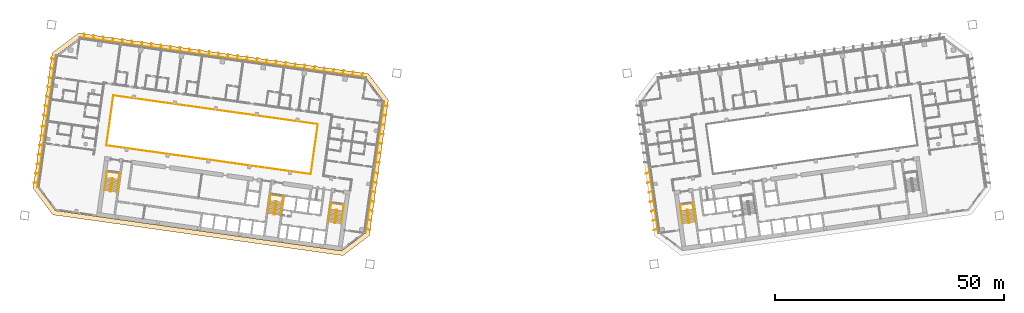
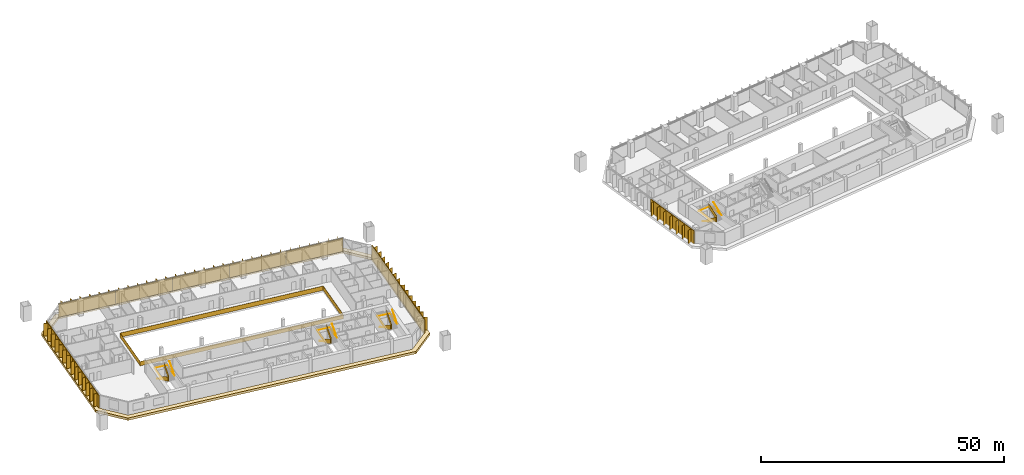
# One storey, part 24 of 25: 10 shading devices, 9 railings, 1 covering.
"""IFC4 building model written with IfcOpenShell, lengths in metres."""

import ifcopenshell
import ifcopenshell.guid

model = None  # the IFC model being written
_history = None  # IfcOwnerHistory: only IFC2X3 demands one
_inside = {}  # id of a spatial element -> (the spatial element, [elements in it])
_under = {}  # id of a project, library or spatial element -> (it, [spatial elements below it])
_declared = {}  # id of a project -> (the project, [libraries it declares])
_typed = {}  # id of a type object -> (the type object, [elements of that type])
_made_of = {}  # id of a material, layer set ... -> (it, [elements and type objects made of it])


def new_model(schema):
    """Start an empty IFC model of exactly this schema.

    Asked for "IFC4X3", IfcOpenShell would pick the latest addendum, in which some entities
    have other attributes; the version numbers below select the first issue.
    IFC2X3 requires an IfcOwnerHistory on every rooted entity: one is made here for all.
    """
    global model, _history
    if schema == "IFC4X3":
        model = ifcopenshell.file(schema_version=(4, 3, 0, 0))
    else:
        model = ifcopenshell.file(schema=schema)
    _inside.clear()
    _under.clear()
    _declared.clear()
    _typed.clear()
    _made_of.clear()
    _history = None
    if model.schema == "IFC2X3":
        org = make("IfcOrganization", Name="unknown")
        user = make(
            "IfcPersonAndOrganization",
            ThePerson=make("IfcPerson", FamilyName="unknown"),
            TheOrganization=org,
        )
        app = make(
            "IfcApplication",
            ApplicationDeveloper=org,
            Version="unknown",
            ApplicationFullName="unknown",
            ApplicationIdentifier="unknown",
        )
        _history = make(
            "IfcOwnerHistory",
            OwningUser=user,
            OwningApplication=app,
            ChangeAction="ADDED",
            CreationDate=0,
        )
    return model


def make(cls, **values):
    """One entity of the class cls with the attributes given. An attribute that is None is left unset."""
    return model.create_entity(
        cls, **{name: value for name, value in values.items() if value is not None}
    )


def rooted(cls, **values):
    """An entity with a GlobalId (a new one), such as an element, a storey or a relation."""
    return make(cls, GlobalId=ifcopenshell.guid.new(), OwnerHistory=_history, **values)


def si_unit(unit_type, name, prefix=None):
    """IfcSIUnit, for example si_unit("LENGTHUNIT", "METRE", prefix="MILLI")."""
    return make("IfcSIUnit", UnitType=unit_type, Prefix=prefix, Name=name)


def assignment(units):
    """IfcUnitAssignment: the units of a project."""
    return None if units is None else make("IfcUnitAssignment", Units=units)


def point(xyz):
    """IfcCartesianPoint."""
    return None if xyz is None else make("IfcCartesianPoint", Coordinates=xyz)


def direction(xyz):
    """IfcDirection."""
    return None if xyz is None else make("IfcDirection", DirectionRatios=xyz)


def frame(location, z_axis=None, x_axis=None):
    """IfcAxis2Placement3D, a coordinate frame: its origin and axes. An axis left out is left unset."""
    return make(
        "IfcAxis2Placement3D",
        Location=point(location),
        Axis=direction(z_axis),
        RefDirection=direction(x_axis),
    )


def frame_2d(location, x_axis=None):
    """IfcAxis2Placement2D, a coordinate frame in the plane: its origin and x axis."""
    return make(
        "IfcAxis2Placement2D", Location=point(location), RefDirection=direction(x_axis)
    )


def origin():
    """The frame at (0, 0, 0) with its axes left unset."""
    return frame((0.0, 0.0, 0.0))


def origin_2d():
    """The frame at (0, 0) in the plane with its x axis left unset."""
    return frame_2d((0.0, 0.0))


def place(relative_to, where):
    """IfcLocalPlacement: puts the frame where relative to a parent placement (None: the world)."""
    return make(
        "IfcLocalPlacement", PlacementRelTo=relative_to, RelativePlacement=where
    )


def context(
    kind, dimensions, precision=None, world=None, true_north=None, identifier=None
):
    """IfcGeometricRepresentationContext, for example the 3D "Model" context."""
    return make(
        "IfcGeometricRepresentationContext",
        ContextIdentifier=identifier,
        ContextType=kind,
        CoordinateSpaceDimension=dimensions,
        Precision=precision,
        WorldCoordinateSystem=world,
        TrueNorth=true_north,
    )


def subcontext(parent, identifier, kind, view, scale=None):
    """IfcGeometricRepresentationSubContext, for example "Body" below "Model"."""
    return make(
        "IfcGeometricRepresentationSubContext",
        ContextIdentifier=identifier,
        ContextType=kind,
        ParentContext=parent,
        TargetScale=scale,
        TargetView=view,
    )


def project(units=None, contexts=None):
    """IfcProject with its units and contexts."""
    return rooted(
        "IfcProject",
        Name="project",
        RepresentationContexts=contexts,
        UnitsInContext=assignment(units),
    )


def spatial(cls, under=None, at=None, **own):
    """A site, building, storey or space (cls), placed at a placement, below another one or the project."""
    s = rooted(cls, ObjectPlacement=at, **own)
    if under is not None:
        _under.setdefault(under.id(), (under, []))[1].append(s)
    return s


def polyline(points):
    """IfcPolyline through the points."""
    return make("IfcPolyline", Points=[point(p) for p in points])


def profile(cls, at=None, kind="AREA", **sizes):
    """A parametric profile (cls). Its sizes go by their IFC names, for example OverallWidth=200.0."""
    return make(cls, ProfileType=kind, Position=at, **sizes)


def rectangle(**sizes):
    """IfcRectangleProfileDef."""
    return profile("IfcRectangleProfileDef", **sizes)


def outline(outer, holes=None, kind="AREA"):
    """IfcArbitraryClosedProfileDef: a profile drawn as a closed curve; with holes, ...WithVoids."""
    if holes is None:
        return make("IfcArbitraryClosedProfileDef", ProfileType=kind, OuterCurve=outer)
    return make(
        "IfcArbitraryProfileDefWithVoids",
        ProfileType=kind,
        OuterCurve=outer,
        InnerCurves=holes,
    )


def extrude(swept, where, along, depth):
    """IfcExtrudedAreaSolid: the profile swept, set in the frame where, extruded along a direction by depth."""
    return make(
        "IfcExtrudedAreaSolid",
        SweptArea=swept,
        Position=where,
        ExtrudedDirection=direction(along),
        Depth=depth,
    )


def shape(context_of_items, identifier, shape_type, items):
    """IfcShapeRepresentation: the items that make up one representation, for example the "Body"."""
    return make(
        "IfcShapeRepresentation",
        ContextOfItems=context_of_items,
        RepresentationIdentifier=identifier,
        RepresentationType=shape_type,
        Items=items,
    )


def material(Name=None, Category=None):
    """IfcMaterial."""
    return make("IfcMaterial", Name=Name, Category=Category)


def layer(
    of_material, thickness, ventilated=None, Name=None, Category=None, Priority=None
):
    """IfcMaterialLayer: one layer of a wall or slab, of a material (None: an air gap)."""
    return make(
        "IfcMaterialLayer",
        Material=of_material,
        LayerThickness=thickness,
        IsVentilated=ventilated,
        Name=Name,
        Category=Category,
        Priority=Priority,
    )


def layer_set(layers, Name=None):
    """IfcMaterialLayerSet."""
    return make("IfcMaterialLayerSet", MaterialLayers=layers, LayerSetName=Name)


def made_of(thing, what):
    """Note that an element or type object is made of a material, layer set ...; save() writes the relation."""
    if what is not None:
        _made_of.setdefault(what.id(), (what, []))[1].append(thing)
    return thing


def type_object(cls, material=None, **own):
    """A type object (cls), such as IfcWallType, which elements share."""
    return made_of(rooted(cls, **own), material)


def element(
    cls,
    number,
    at=None,
    inside=None,
    cuts=None,
    type_object=None,
    material=None,
    context=None,
    identifier="Body",
    shape_type=None,
    held_by="IfcProductDefinitionShape",
    body=None,
    shapes=None,
    **own,
):
    """One element of the class cls, such as IfcWall. Its Tag is "e" and its number.

    at: its placement. inside: the storey or other place that contains it. cuts: it is an
    opening in that element (IfcRelVoidsElement). A single representation is given by context,
    identifier, shape_type and body (its items); several are given by shapes. held_by: the class
    of the entity that holds the representations. save() writes the other relations.
    """
    e = rooted(cls, Tag="e%d" % number, ObjectPlacement=at, **own)
    if body is not None:
        shapes = [shape(context, identifier, shape_type, body)]
    if shapes is not None:
        e.Representation = make(held_by, Representations=shapes)
    if inside is not None:
        _inside.setdefault(inside.id(), (inside, []))[1].append(e)
    if cuts is not None:
        rooted(
            "IfcRelVoidsElement", RelatingBuildingElement=cuts, RelatedOpeningElement=e
        )
    if type_object is not None:
        _typed.setdefault(type_object.id(), (type_object, []))[1].append(e)
    return made_of(e, material)


def aggregate(whole, parts):
    """IfcRelAggregates: a whole, such as a stair, and the parts it consists of."""
    return rooted("IfcRelAggregates", RelatingObject=whole, RelatedObjects=parts)


def save(model, path):
    """Write the relations noted so far, then the file.

    IfcRelAggregates (storeys below a building ...), IfcRelContainedInSpatialStructure (elements
    in a storey), IfcRelDefinesByType, IfcRelAssociatesMaterial and IfcRelDeclares: one each for
    every whole, place, type object, material and project.
    """
    for whole, parts in _under.values():
        aggregate(whole, parts)
    for where, things in _inside.values():
        rooted(
            "IfcRelContainedInSpatialStructure",
            RelatedElements=things,
            RelatingStructure=where,
        )
    for kind, things in _typed.values():
        rooted("IfcRelDefinesByType", RelatedObjects=things, RelatingType=kind)
    for what, things in _made_of.values():
        rooted("IfcRelAssociatesMaterial", RelatedObjects=things, RelatingMaterial=what)
    for by, libraries in _declared.values():
        rooted("IfcRelDeclares", RelatingContext=by, RelatedDefinitions=libraries)
    model.write(path)


model = new_model("IFC4")

# Units and contexts
model_context = context("Model", 3, precision=1e-05, world=origin(), true_north=direction((0.0, 1.0)))
body_context = subcontext(model_context, "Body", "Model", "MODEL_VIEW")
ifc_project = project(units=[si_unit("LENGTHUNIT", "METRE"), si_unit("AREAUNIT", "SQUARE_METRE"), si_unit("VOLUMEUNIT", "CUBIC_METRE"), si_unit("PLANEANGLEUNIT", "RADIAN"), si_unit("MASSUNIT", "GRAM", prefix="KILO")], contexts=[model_context])

# Site, building, storey
site_placement = place(None, origin())
site = spatial("IfcSite", under=ifc_project, at=site_placement, CompositionType="ELEMENT")
building_placement = place(site_placement, origin())
building = spatial("IfcBuilding", under=site, at=building_placement, Name="Mirante Cascada Hotel Towers", CompositionType="ELEMENT")
storey_placement = place(building_placement, frame((0.0, 0.0, 73.7)))
storey = spatial("IfcBuildingStorey", under=building, at=storey_placement, Name="L15", CompositionType="ELEMENT", Elevation=73.7)

# Railing
ifc_material_1 = material(Name="Toughened glass with stainless steel handrail", Category="steel")
railing_type_1 = type_object("IfcRailingType", Name="Atrium guard 1100 glass balustrade", PredefinedType="GUARDRAIL", material=ifc_material_1)
railing_1_placement = place(storey_placement, frame((-43.8418, -3.4881, 0.0)))
element("IfcRailing", 1, at=railing_1_placement, inside=storey, type_object=railing_type_1, Name="GUARD 1-L15-1", PredefinedType="GUARDRAIL", context=body_context, shape_type="SweptSolid", body=[
    extrude(rectangle(XDim=0.048, YDim=0.048, at=origin_2d()), frame((0.0, 0.0, 1.076), z_axis=(-0.9902681, 0.1391732, 0.0), x_axis=(-0.1391732, -0.9902681, 0.0)), (0.0, 0.0, 1.0), 45.0),
    extrude(rectangle(XDim=0.02, YDim=1.052, at=origin_2d()), frame((0.0, 0.0, 0.526), z_axis=(-0.9902681, 0.1391732, 0.0), x_axis=(-0.1391732, -0.9902681, 0.0)), (0.0, 0.0, 1.0), 45.0),
    extrude(rectangle(XDim=0.048, YDim=0.048, at=origin_2d()), frame((-44.5621, 6.2628, 1.076), z_axis=(0.1391721, 0.9902682, 0.0), x_axis=(-0.9902682, 0.1391721, 0.0)), (0.0, 0.0, 1.0), 11.0001),
    extrude(rectangle(XDim=0.02, YDim=1.052, at=origin_2d()), frame((-44.5621, 6.2628, 0.526), z_axis=(0.1391721, 0.9902682, 0.0), x_axis=(-0.9902682, 0.1391721, 0.0)), (0.0, 0.0, 1.0), 11.0001),
    extrude(rectangle(XDim=0.048, YDim=0.048, at=origin_2d()), frame((-43.0312, 17.1558, 1.076), z_axis=(0.9902681, -0.1391732, 0.0), x_axis=(0.1391732, 0.9902681, 0.0)), (0.0, 0.0, 1.0), 45.0),
    extrude(rectangle(XDim=0.02, YDim=1.052, at=origin_2d()), frame((-43.0312, 17.1558, 0.526), z_axis=(0.9902681, -0.1391732, 0.0), x_axis=(0.1391732, 0.9902681, 0.0)), (0.0, 0.0, 1.0), 45.0),
    extrude(rectangle(XDim=0.048, YDim=0.048, at=origin_2d()), frame((1.5309, 10.893, 1.076), z_axis=(-0.1391721, -0.9902682, 0.0), x_axis=(0.9902682, -0.1391721, 0.0)), (0.0, 0.0, 1.0), 11.0001),
    extrude(rectangle(XDim=0.02, YDim=1.052, at=origin_2d()), frame((1.5309, 10.893, 0.526), z_axis=(-0.1391721, -0.9902682, 0.0), x_axis=(0.9902682, -0.1391721, 0.0)), (0.0, 0.0, 1.0), 11.0001),
])

# Covering
ifc_material_2 = material(Name="Precast concrete C40/50 white", Category="concrete")
ifc_layer = layer(ifc_material_2, 0.6)
ifc_layer_set = layer_set([ifc_layer], Name="Precast concrete SUNSHADE band 1000x600")
covering_type = type_object("IfcCoveringType", Name="Precast concrete SUNSHADE band 1000x600", PredefinedType="CLADDING", material=ifc_layer_set)
covering_placement = place(storey_placement, frame((0.0, 0.0, -0.45)))
element("IfcCovering", 2, at=covering_placement, inside=storey, type_object=covering_type, Name="Precast concrete SUNSHADE band T1 L15", PredefinedType="CLADDING", context=body_context, shape_type="SweptSolid", body=[
    extrude(outline(polyline([(-104.3652, -6.6094), (-100.2139, 22.9287), (-94.4698, 27.2572), (-31.2626, 18.374), (-26.9341, 12.6299), (-31.0854, -16.9082), (-36.8295, -21.2367), (-100.0367, -12.3535), (-104.3652, -6.6094)]), holes=[polyline([(-27.982, 12.3589), (-31.8119, 17.4414), (-94.1988, 26.2093), (-99.2813, 22.3794), (-103.3173, -6.3384), (-99.4874, -11.4209), (-37.1005, -20.1888), (-32.018, -16.3589), (-27.982, 12.3589)])]), origin(), (0.0, 0.0, 1.0), 0.6),
])

# Railings
ifc_material_3 = material(Name="Painted steel", Category="steel")
railing_type_2 = type_object("IfcRailingType", Name="Stair guard 1100 steel balustrade", PredefinedType="GUARDRAIL", material=ifc_material_3)
railing_2_placement = place(storey_placement, frame((-38.1178, -11.2603, 0.0)))
element("IfcRailing", 3, at=railing_2_placement, inside=storey, type_object=railing_type_2, Name="L15 ST1-A stair guard 1", PredefinedType="GUARDRAIL", context=body_context, shape_type="SweptSolid", body=[
    extrude(rectangle(XDim=0.048, YDim=0.048, at=origin_2d()), frame((0.0, 0.0, 1.076), z_axis=(-0.9903326, 0.1387133, 0.0), x_axis=(-0.1387133, -0.9903326, 0.0)), (0.0, 0.0, 1.0), 0.1499),
    extrude(rectangle(XDim=0.02, YDim=1.052, at=origin_2d()), frame((0.0, 0.0, 0.526), z_axis=(-0.9903326, 0.1387133, 0.0), x_axis=(-0.1387133, -0.9903326, 0.0)), (0.0, 0.0, 1.0), 0.1499),
    extrude(rectangle(XDim=0.048, YDim=0.048, at=origin_2d()), frame((-0.1485, 0.0208, 1.076), z_axis=(-0.7991505, -0.6011309, 0.0), x_axis=(0.6011309, -0.7991505, 0.0)), (0.0, 0.9254529, 0.3788627), 0.1866),
    extrude(rectangle(XDim=0.02, YDim=1.052, at=origin_2d()), frame((-0.1485, 0.0208, 0.526), z_axis=(-0.7991505, -0.6011309, 0.0), x_axis=(0.6011309, -0.7991505, 0.0)), (0.0, 0.9254529, 0.3788627), 0.1866),
    extrude(rectangle(XDim=0.048, YDim=0.048, at=origin_2d()), frame((-0.205, -0.0217, 1.2487), z_axis=(-0.139176, -0.9902677, 0.0), x_axis=(0.9902677, -0.139176, 0.0)), (0.0, 0.5250212, 0.8510891), 3.29),
    extrude(rectangle(XDim=0.02, YDim=1.052, at=origin_2d()), frame((-0.205, -0.0217, 0.6987), z_axis=(-0.139176, -0.9902677, 0.0), x_axis=(0.9902677, -0.139176, 0.0)), (0.0, 0.5250212, 0.8510891), 3.29),
    extrude(rectangle(XDim=0.048, YDim=0.048, at=origin_2d()), frame((-0.5947, -2.7945, 2.976), z_axis=(0.9270311, -0.3749843, 0.0), x_axis=(0.3749843, 0.9270311, 0.0)), (0.0, 0.0, 1.0), 0.2061),
    extrude(rectangle(XDim=0.02, YDim=1.052, at=origin_2d()), frame((-0.5947, -2.7945, 2.426), z_axis=(0.9270311, -0.3749843, 0.0), x_axis=(0.3749843, 0.9270311, 0.0)), (0.0, 0.0, 1.0), 0.2061),
    extrude(rectangle(XDim=0.048, YDim=0.048, at=origin_2d()), frame((-0.4036, -2.8718, 2.976), z_axis=(-0.9902408, 0.1393672, 0.0), x_axis=(-0.1393672, -0.9902408, 0.0)), (0.0, 0.0, 1.0), 0.15),
    extrude(rectangle(XDim=0.02, YDim=1.052, at=origin_2d()), frame((-0.4036, -2.8718, 2.426), z_axis=(-0.9902408, 0.1393672, 0.0), x_axis=(-0.1393672, -0.9902408, 0.0)), (0.0, 0.0, 1.0), 0.15),
    extrude(rectangle(XDim=0.048, YDim=0.048, at=origin_2d()), frame((-0.5521, -2.8509, 2.976), z_axis=(0.9944948, 0.1047858, 0.0), x_axis=(-0.1047858, 0.9944948, 0.0)), (0.0, 0.6422034, 0.7665343), 0.2689),
    extrude(rectangle(XDim=0.02, YDim=1.052, at=origin_2d()), frame((-0.5521, -2.8509, 2.426), z_axis=(0.9944948, 0.1047858, 0.0), x_axis=(-0.1047858, 0.9944948, 0.0)), (0.0, 0.6422034, 0.7665343), 0.2689),
    extrude(rectangle(XDim=0.048, YDim=0.048, at=origin_2d()), frame((-0.3471, -2.8293, 3.1487), z_axis=(0.139176, 0.9902677, 0.0), x_axis=(-0.9902677, 0.139176, 0.0)), (0.0, 0.5250212, 0.8510891), 3.29),
    extrude(rectangle(XDim=0.02, YDim=1.052, at=origin_2d()), frame((-0.3471, -2.8293, 2.5987), z_axis=(0.139176, 0.9902677, 0.0), x_axis=(-0.9902677, 0.139176, 0.0)), (0.0, 0.5250212, 0.8510891), 3.29),
])
railing_3_placement = place(storey_placement, frame((-51.3379, -9.4024, 0.0)))
element("IfcRailing", 4, at=railing_3_placement, inside=storey, type_object=railing_type_2, Name="L15 ST1-B stair guard 1", PredefinedType="GUARDRAIL", context=body_context, shape_type="SweptSolid", body=[
    extrude(rectangle(XDim=0.048, YDim=0.048, at=origin_2d()), frame((0.0, 0.0, 1.076), z_axis=(-0.9902408, 0.1393672, 0.0), x_axis=(-0.1393672, -0.9902408, 0.0)), (0.0, 0.0, 1.0), 0.15),
    extrude(rectangle(XDim=0.02, YDim=1.052, at=origin_2d()), frame((0.0, 0.0, 0.526), z_axis=(-0.9902408, 0.1393672, 0.0), x_axis=(-0.1393672, -0.9902408, 0.0)), (0.0, 0.0, 1.0), 0.15),
    extrude(rectangle(XDim=0.048, YDim=0.048, at=origin_2d()), frame((-0.1485, 0.0209, 1.076), z_axis=(-0.7984711, -0.6020331, 0.0), x_axis=(0.6020331, -0.7984711, 0.0)), (0.0, 0.9253398, 0.3791387), 0.1866),
    extrude(rectangle(XDim=0.02, YDim=1.052, at=origin_2d()), frame((-0.1485, 0.0209, 0.526), z_axis=(-0.7984711, -0.6020331, 0.0), x_axis=(0.6020331, -0.7984711, 0.0)), (0.0, 0.9253398, 0.3791387), 0.1866),
    extrude(rectangle(XDim=0.048, YDim=0.048, at=origin_2d()), frame((-0.205, -0.0217, 1.2487), z_axis=(-0.139181, -0.990267, 0.0), x_axis=(0.990267, -0.139181, 0.0)), (0.0, 0.5250347, 0.8510808), 3.2899),
    extrude(rectangle(XDim=0.02, YDim=1.052, at=origin_2d()), frame((-0.205, -0.0217, 0.6987), z_axis=(-0.139181, -0.990267, 0.0), x_axis=(0.990267, -0.139181, 0.0)), (0.0, 0.5250347, 0.8510808), 3.2899),
    extrude(rectangle(XDim=0.048, YDim=0.048, at=origin_2d()), frame((-0.5947, -2.7944, 2.976), z_axis=(0.9268624, -0.3754011, 0.0), x_axis=(0.3754011, 0.9268624, 0.0)), (0.0, 0.0, 1.0), 0.2062),
    extrude(rectangle(XDim=0.02, YDim=1.052, at=origin_2d()), frame((-0.5947, -2.7944, 2.426), z_axis=(0.9268624, -0.3754011, 0.0), x_axis=(0.3754011, 0.9268624, 0.0)), (0.0, 0.0, 1.0), 0.2062),
    extrude(rectangle(XDim=0.048, YDim=0.048, at=origin_2d()), frame((-0.4036, -2.8718, 2.976), z_axis=(-0.9902408, 0.1393672, 0.0), x_axis=(-0.1393672, -0.9902408, 0.0)), (0.0, 0.0, 1.0), 0.15),
    extrude(rectangle(XDim=0.02, YDim=1.052, at=origin_2d()), frame((-0.4036, -2.8718, 2.426), z_axis=(-0.9902408, 0.1393672, 0.0), x_axis=(-0.1393672, -0.9902408, 0.0)), (0.0, 0.0, 1.0), 0.15),
    extrude(rectangle(XDim=0.048, YDim=0.048, at=origin_2d()), frame((-0.5521, -2.8509, 2.976), z_axis=(0.9944441, 0.1052656, 0.0), x_axis=(-0.1052656, 0.9944441, 0.0)), (0.0, 0.6421842, 0.7665504), 0.2689),
    extrude(rectangle(XDim=0.02, YDim=1.052, at=origin_2d()), frame((-0.5521, -2.8509, 2.426), z_axis=(0.9944441, 0.1052656, 0.0), x_axis=(-0.1052656, 0.9944441, 0.0)), (0.0, 0.6421842, 0.7665504), 0.2689),
    extrude(rectangle(XDim=0.048, YDim=0.048, at=origin_2d()), frame((-0.3471, -2.8292, 3.1487), z_axis=(0.139181, 0.990267, 0.0), x_axis=(-0.990267, 0.139181, 0.0)), (0.0, 0.5250347, 0.8510808), 3.2899),
    extrude(rectangle(XDim=0.02, YDim=1.052, at=origin_2d()), frame((-0.3471, -2.8292, 2.5987), z_axis=(0.139181, 0.990267, 0.0), x_axis=(-0.990267, 0.139181, 0.0)), (0.0, 0.5250347, 0.8510808), 3.2899),
])
railing_4_placement = place(storey_placement, frame((-86.9875, -4.3922, 0.0)))
element("IfcRailing", 5, at=railing_4_placement, inside=storey, type_object=railing_type_2, Name="L15 ST1-C stair guard 1", PredefinedType="GUARDRAIL", context=body_context, shape_type="SweptSolid", body=[
    extrude(rectangle(XDim=0.048, YDim=0.048, at=origin_2d()), frame((0.0, 0.0, 1.076), z_axis=(-0.9902537, 0.1392753, 0.0), x_axis=(-0.1392753, -0.9902537, 0.0)), (0.0, 0.0, 1.0), 0.1501),
    extrude(rectangle(XDim=0.02, YDim=1.052, at=origin_2d()), frame((0.0, 0.0, 0.526), z_axis=(-0.9902537, 0.1392753, 0.0), x_axis=(-0.1392753, -0.9902537, 0.0)), (0.0, 0.0, 1.0), 0.1501),
    extrude(rectangle(XDim=0.048, YDim=0.048, at=origin_2d()), frame((-0.1486, 0.0209, 1.076), z_axis=(-0.7986386, -0.601811, 0.0), x_axis=(0.601811, -0.7986386, 0.0)), (0.0, 0.925603, 0.3784959), 0.1866),
    extrude(rectangle(XDim=0.02, YDim=1.052, at=origin_2d()), frame((-0.1486, 0.0209, 0.526), z_axis=(-0.7986386, -0.601811, 0.0), x_axis=(0.601811, -0.7986386, 0.0)), (0.0, 0.925603, 0.3784959), 0.1866),
    extrude(rectangle(XDim=0.048, YDim=0.048, at=origin_2d()), frame((-0.205, -0.0216, 1.2487), z_axis=(-0.139176, -0.9902677, 0.0), x_axis=(0.9902677, -0.139176, 0.0)), (0.0, 0.5250212, 0.8510891), 3.29),
    extrude(rectangle(XDim=0.02, YDim=1.052, at=origin_2d()), frame((-0.205, -0.0216, 0.6987), z_axis=(-0.139176, -0.9902677, 0.0), x_axis=(0.9902677, -0.139176, 0.0)), (0.0, 0.5250212, 0.8510891), 3.29),
    extrude(rectangle(XDim=0.048, YDim=0.048, at=origin_2d()), frame((-0.5947, -2.7944, 2.976), z_axis=(0.9270311, -0.3749843, 0.0), x_axis=(0.3749843, 0.9270311, 0.0)), (0.0, 0.0, 1.0), 0.2061),
    extrude(rectangle(XDim=0.02, YDim=1.052, at=origin_2d()), frame((-0.5947, -2.7944, 2.426), z_axis=(0.9270311, -0.3749843, 0.0), x_axis=(0.3749843, 0.9270311, 0.0)), (0.0, 0.0, 1.0), 0.2061),
    extrude(rectangle(XDim=0.048, YDim=0.048, at=origin_2d()), frame((-0.4036, -2.8717, 2.976), z_axis=(-0.9903454, 0.1386217, 0.0), x_axis=(-0.1386217, -0.9903454, 0.0)), (0.0, 0.0, 1.0), 0.15),
    extrude(rectangle(XDim=0.02, YDim=1.052, at=origin_2d()), frame((-0.4036, -2.8717, 2.426), z_axis=(-0.9903454, 0.1386217, 0.0), x_axis=(-0.1386217, -0.9903454, 0.0)), (0.0, 0.0, 1.0), 0.15),
    extrude(rectangle(XDim=0.048, YDim=0.048, at=origin_2d()), frame((-0.5522, -2.8509, 2.976), z_axis=(0.9944441, 0.1052656, 0.0), x_axis=(-0.1052656, 0.9944441, 0.0)), (0.0, 0.6421842, 0.7665504), 0.2689),
    extrude(rectangle(XDim=0.02, YDim=1.052, at=origin_2d()), frame((-0.5522, -2.8509, 2.426), z_axis=(0.9944441, 0.1052656, 0.0), x_axis=(-0.1052656, 0.9944441, 0.0)), (0.0, 0.6421842, 0.7665504), 0.2689),
    extrude(rectangle(XDim=0.048, YDim=0.048, at=origin_2d()), frame((-0.3472, -2.8292, 3.1487), z_axis=(0.139176, 0.9902677, 0.0), x_axis=(-0.9902677, 0.139176, 0.0)), (0.0, 0.5250212, 0.8510891), 3.29),
    extrude(rectangle(XDim=0.02, YDim=1.052, at=origin_2d()), frame((-0.3472, -2.8292, 2.5987), z_axis=(0.139176, 0.9902677, 0.0), x_axis=(-0.9902677, 0.139176, 0.0)), (0.0, 0.5250212, 0.8510891), 3.29),
])
railing_5_placement = place(storey_placement, frame((38.2663, -11.2395, 0.0)))
element("IfcRailing", 6, at=railing_5_placement, inside=storey, type_object=railing_type_2, Name="L15 ST2-A stair guard 1", PredefinedType="GUARDRAIL", context=body_context, shape_type="SweptSolid", body=[
    extrude(rectangle(XDim=0.048, YDim=0.048, at=origin_2d()), frame((0.0, 0.0, 1.076), z_axis=(-0.9903326, -0.1387133, 0.0), x_axis=(0.1387133, -0.9903326, 0.0)), (0.0, 0.0, 1.0), 0.1499),
    extrude(rectangle(XDim=0.02, YDim=1.052, at=origin_2d()), frame((0.0, 0.0, 0.526), z_axis=(-0.9903326, -0.1387133, 0.0), x_axis=(0.1387133, -0.9903326, 0.0)), (0.0, 0.0, 1.0), 0.1499),
    extrude(rectangle(XDim=0.048, YDim=0.048, at=origin_2d()), frame((-0.1485, -0.0208, 1.076), z_axis=(-0.6020331, -0.7984711, 0.0), x_axis=(0.7984711, -0.6020331, 0.0)), (0.0, 0.9253398, 0.3791387), 0.1866),
    extrude(rectangle(XDim=0.02, YDim=1.052, at=origin_2d()), frame((-0.1485, -0.0208, 0.526), z_axis=(-0.6020331, -0.7984711, 0.0), x_axis=(0.7984711, -0.6020331, 0.0)), (0.0, 0.9253398, 0.3791387), 0.1866),
    extrude(rectangle(XDim=0.048, YDim=0.048, at=origin_2d()), frame((-0.1911, -0.0773, 1.2487), z_axis=(0.139176, -0.9902677, 0.0), x_axis=(0.9902677, 0.139176, 0.0)), (0.0, 0.5250212, 0.8510891), 3.29),
    extrude(rectangle(XDim=0.02, YDim=1.052, at=origin_2d()), frame((-0.1911, -0.0773, 0.6987), z_axis=(0.139176, -0.9902677, 0.0), x_axis=(0.9902677, 0.139176, 0.0)), (0.0, 0.5250212, 0.8510891), 3.29),
    extrude(rectangle(XDim=0.048, YDim=0.048, at=origin_2d()), frame((0.1986, -2.8501, 2.976), z_axis=(0.9944948, -0.1047858, 0.0), x_axis=(0.1047858, 0.9944948, 0.0)), (0.0, 0.0, 1.0), 0.2061),
    extrude(rectangle(XDim=0.02, YDim=1.052, at=origin_2d()), frame((0.1986, -2.8501, 2.426), z_axis=(0.9944948, -0.1047858, 0.0), x_axis=(0.1047858, 0.9944948, 0.0)), (0.0, 0.0, 1.0), 0.2061),
    extrude(rectangle(XDim=0.048, YDim=0.048, at=origin_2d()), frame((0.4036, -2.8717, 2.976), z_axis=(-0.9902408, -0.1393672, 0.0), x_axis=(0.1393672, -0.9902408, 0.0)), (0.0, 0.0, 1.0), 0.15),
    extrude(rectangle(XDim=0.02, YDim=1.052, at=origin_2d()), frame((0.4036, -2.8717, 2.426), z_axis=(-0.9902408, -0.1393672, 0.0), x_axis=(0.1393672, -0.9902408, 0.0)), (0.0, 0.0, 1.0), 0.15),
    extrude(rectangle(XDim=0.048, YDim=0.048, at=origin_2d()), frame((0.2551, -2.8926, 2.976), z_axis=(0.9270311, 0.3749843, 0.0), x_axis=(-0.3749843, 0.9270311, 0.0)), (0.0, 0.6421903, 0.7665452), 0.2689),
    extrude(rectangle(XDim=0.02, YDim=1.052, at=origin_2d()), frame((0.2551, -2.8926, 2.426), z_axis=(0.9270311, 0.3749843, 0.0), x_axis=(-0.3749843, 0.9270311, 0.0)), (0.0, 0.6421903, 0.7665452), 0.2689),
    extrude(rectangle(XDim=0.048, YDim=0.048, at=origin_2d()), frame((0.4462, -2.8153, 3.1487), z_axis=(-0.139176, 0.9902677, 0.0), x_axis=(-0.9902677, -0.139176, 0.0)), (0.0, 0.5250212, 0.8510891), 3.29),
    extrude(rectangle(XDim=0.02, YDim=1.052, at=origin_2d()), frame((0.4462, -2.8153, 2.5987), z_axis=(-0.139176, 0.9902677, 0.0), x_axis=(-0.9902677, -0.139176, 0.0)), (0.0, 0.5250212, 0.8510891), 3.29),
])
ifc_material_4 = material(Name="Painted steel", Category="steel")
railing_type_3 = type_object("IfcRailingType", Name="Stair handrail 900 steel tube", PredefinedType="HANDRAIL", material=ifc_material_4)
railing_6_placement = place(storey_placement, frame((-39.5606, -11.1081, 0.1727)))
element("IfcRailing", 7, at=railing_6_placement, inside=storey, type_object=railing_type_3, Name="L15 ST1-A stair handrail 1", PredefinedType="HANDRAIL", context=body_context, shape_type="SweptSolid", body=[
    extrude(rectangle(XDim=0.048, YDim=0.048, at=origin_2d()), frame((0.0, 0.0, 0.876), z_axis=(-0.139181, -0.990267, 0.0), x_axis=(0.990267, -0.139181, 0.0)), (0.0, 0.5250347, 0.8510808), 3.2899),
    extrude(rectangle(XDim=0.048, YDim=0.048, at=origin_2d()), frame((-0.3897, -2.7727, 2.6033), z_axis=(0.1391707, 0.9902684, 0.0), x_axis=(-0.9902684, 0.1391707, 0.0)), (0.0, 0.0420846, 0.999114), 4.1036),
    extrude(rectangle(XDim=0.048, YDim=0.048, at=origin_2d()), frame((0.1809, 1.2874, 2.776), z_axis=(0.9902691, -0.1391657, 0.0), x_axis=(0.1391657, 0.9902691, 0.0)), (0.0, 0.0, 1.0), 2.75),
    extrude(rectangle(XDim=0.048, YDim=0.048, at=origin_2d()), frame((2.9041, 0.9047, 2.776), z_axis=(-0.1391707, -0.9902684, 0.0), x_axis=(0.9902684, -0.1391707, 0.0)), (0.0, 0.0, 1.0), 4.1),
    extrude(rectangle(XDim=0.048, YDim=0.048, at=origin_2d()), frame((2.3335, -3.1554, 2.776), z_axis=(0.139181, 0.990267, 0.0), x_axis=(-0.990267, 0.139181, 0.0)), (0.0, 0.5250347, 0.8510808), 3.2899),
])
railing_7_placement = place(storey_placement, frame((-52.7807, -9.2501, 0.1727)))
element("IfcRailing", 8, at=railing_7_placement, inside=storey, type_object=railing_type_3, Name="L15 ST1-B stair handrail 1", PredefinedType="HANDRAIL", context=body_context, shape_type="SweptSolid", body=[
    extrude(rectangle(XDim=0.048, YDim=0.048, at=origin_2d()), frame((0.0, 0.0, 0.876), z_axis=(-0.139181, -0.990267, 0.0), x_axis=(0.990267, -0.139181, 0.0)), (0.0, 0.5250347, 0.8510808), 3.2899),
    extrude(rectangle(XDim=0.048, YDim=0.048, at=origin_2d()), frame((-0.3897, -2.7727, 2.6033), z_axis=(0.1391707, 0.9902684, 0.0), x_axis=(-0.9902684, 0.1391707, 0.0)), (0.0, 0.0420846, 0.999114), 4.1036),
    extrude(rectangle(XDim=0.048, YDim=0.048, at=origin_2d()), frame((0.1809, 1.2874, 2.776), z_axis=(0.9902641, -0.1392013, 0.0), x_axis=(0.1392013, 0.9902641, 0.0)), (0.0, 0.0, 1.0), 2.75),
    extrude(rectangle(XDim=0.048, YDim=0.048, at=origin_2d()), frame((2.9041, 0.9046, 2.776), z_axis=(-0.1391707, -0.9902684, 0.0), x_axis=(0.9902684, -0.1391707, 0.0)), (0.0, 0.0, 1.0), 4.1),
    extrude(rectangle(XDim=0.048, YDim=0.048, at=origin_2d()), frame((2.3335, -3.1555, 2.776), z_axis=(0.139176, 0.9902677, 0.0), x_axis=(-0.9902677, 0.139176, 0.0)), (0.0, 0.5250212, 0.8510891), 3.29),
])
railing_8_placement = place(storey_placement, frame((-88.4304, -4.2399, 0.1727)))
element("IfcRailing", 9, at=railing_8_placement, inside=storey, type_object=railing_type_3, Name="L15 ST1-C stair handrail 1", PredefinedType="HANDRAIL", context=body_context, shape_type="SweptSolid", body=[
    extrude(rectangle(XDim=0.048, YDim=0.048, at=origin_2d()), frame((0.0, 0.0, 0.876), z_axis=(-0.139181, -0.990267, 0.0), x_axis=(0.990267, -0.139181, 0.0)), (0.0, 0.5250347, 0.8510808), 3.2899),
    extrude(rectangle(XDim=0.048, YDim=0.048, at=origin_2d()), frame((-0.3897, -2.7727, 2.6033), z_axis=(0.1391947, 0.990265, 0.0), x_axis=(-0.990265, 0.1391947, 0.0)), (0.0, 0.0420845, 0.9991141), 4.1036),
    extrude(rectangle(XDim=0.048, YDim=0.048, at=origin_2d()), frame((0.181, 1.2874, 2.776), z_axis=(0.9902691, -0.1391657, 0.0), x_axis=(0.1391657, 0.9902691, 0.0)), (0.0, 0.0, 1.0), 2.75),
    extrude(rectangle(XDim=0.048, YDim=0.048, at=origin_2d()), frame((2.9042, 0.9047, 2.776), z_axis=(-0.1391707, -0.9902684, 0.0), x_axis=(0.9902684, -0.1391707, 0.0)), (0.0, 0.0, 1.0), 4.1),
    extrude(rectangle(XDim=0.048, YDim=0.048, at=origin_2d()), frame((2.3336, -3.1554, 2.776), z_axis=(0.139181, 0.990267, 0.0), x_axis=(-0.990267, 0.139181, 0.0)), (0.0, 0.5250347, 0.8510808), 3.2899),
])
railing_9_placement = place(storey_placement, frame((36.8374, -11.4908, 0.1727)))
element("IfcRailing", 10, at=railing_9_placement, inside=storey, type_object=railing_type_3, Name="L15 ST2-A stair handrail 1", PredefinedType="HANDRAIL", context=body_context, shape_type="SweptSolid", body=[
    extrude(rectangle(XDim=0.048, YDim=0.048, at=origin_2d()), frame((0.0, 0.0, 0.876), z_axis=(0.139181, -0.990267, 0.0), x_axis=(0.990267, 0.139181, 0.0)), (0.0, 0.5250347, 0.8510808), 3.2899),
    extrude(rectangle(XDim=0.048, YDim=0.048, at=origin_2d()), frame((0.3897, -2.7727, 2.6033), z_axis=(-0.1391707, 0.9902684, 0.0), x_axis=(-0.9902684, -0.1391707, 0.0)), (0.0, 0.0420846, 0.999114), 4.1036),
    extrude(rectangle(XDim=0.048, YDim=0.048, at=origin_2d()), frame((-0.1809, 1.2874, 2.776), z_axis=(0.9902691, 0.1391657, 0.0), x_axis=(-0.1391657, 0.9902691, 0.0)), (0.0, 0.0, 1.0), 2.75),
    extrude(rectangle(XDim=0.048, YDim=0.048, at=origin_2d()), frame((2.5423, 1.6701, 2.776), z_axis=(0.1391707, -0.9902684, 0.0), x_axis=(0.9902684, 0.1391707, 0.0)), (0.0, 0.0, 1.0), 4.1),
    extrude(rectangle(XDim=0.048, YDim=0.048, at=origin_2d()), frame((3.1129, -2.39, 2.776), z_axis=(-0.139181, 0.990267, 0.0), x_axis=(-0.990267, -0.139181, 0.0)), (0.0, 0.5250347, 0.8510808), 3.2899),
])

# Shading devices
ifc_material_5 = material(Name="White precast concrete C50/60 fin", Category="concrete")
shading_device_type = type_object("IfcShadingDeviceType", Name="Vertical fin set 4500x900", PredefinedType="USERDEFINED", material=ifc_material_5)
shading_device_1_placement = place(storey_placement, origin())
element("IfcShadingDevice", 11, at=shading_device_1_placement, inside=storey, type_object=shading_device_type, Name="FIN T1 L15 front 1", ObjectType="FIN", PredefinedType="USERDEFINED", context=body_context, shape_type="SweptSolid", body=[
    extrude(outline(polyline([(-82.8173, 25.599), (-82.7126, 24.7465), (-81.7006, 24.6042), (-81.7214, 24.4557), (-94.1988, 26.2093), (-94.1779, 26.3578), (-93.1924, 26.2193), (-93.2945, 27.0506), (-93.2151, 27.0603), (-93.1104, 26.2078), (-91.1129, 25.9271), (-91.2149, 26.7583), (-91.1355, 26.7681), (-91.0308, 25.9155), (-89.0333, 25.6348), (-89.1354, 26.4661), (-89.056, 26.4758), (-88.9513, 25.6233), (-86.9537, 25.3425), (-87.0558, 26.1738), (-86.9764, 26.1835), (-86.8717, 25.331), (-84.8742, 25.0503), (-84.9762, 25.8815), (-84.8968, 25.8913), (-84.7922, 25.0387), (-82.7946, 24.758), (-82.8967, 25.5893), (-82.8173, 25.599)])), origin(), (0.0, 0.0, 1.0), 3.35),
])
shading_device_2_placement = place(storey_placement, origin())
element("IfcShadingDevice", 12, at=shading_device_2_placement, inside=storey, type_object=shading_device_type, Name="FIN T1 L15 front 2", ObjectType="FIN", PredefinedType="USERDEFINED", context=body_context, shape_type="SweptSolid", body=[
    extrude(outline(polyline([(-70.2221, 23.8469), (-70.2295, 22.9921), (-69.2232, 22.8507), (-69.2441, 22.7021), (-81.7214, 24.4557), (-81.7006, 24.6042), (-80.7072, 24.4646), (-80.6999, 25.3089), (-80.6199, 25.3082), (-80.6273, 24.4534), (-78.6277, 24.1724), (-78.6203, 25.0166), (-78.5403, 25.0159), (-78.5478, 24.1611), (-76.5481, 23.8801), (-76.5407, 24.7244), (-76.4608, 24.7237), (-76.4682, 23.8689), (-74.4686, 23.5878), (-74.4612, 24.4321), (-74.3812, 24.4314), (-74.3886, 23.5766), (-72.389, 23.2956), (-72.3816, 24.1399), (-72.3016, 24.1392), (-72.3091, 23.2844), (-70.3094, 23.0033), (-70.3021, 23.8476), (-70.2221, 23.8469)])), origin(), (0.0, 0.0, 1.0), 3.35),
])
shading_device_3_placement = place(storey_placement, origin())
element("IfcShadingDevice", 13, at=shading_device_3_placement, inside=storey, type_object=shading_device_type, Name="FIN T1 L15 front 3", ObjectType="FIN", PredefinedType="USERDEFINED", context=body_context, shape_type="SweptSolid", body=[
    extrude(outline(polyline([(-57.6277, 22.0794), (-57.746, 21.2376), (-56.7458, 21.0971), (-56.7667, 20.9485), (-69.2441, 22.7021), (-69.2232, 22.8507), (-68.223, 22.7101), (-68.1047, 23.5518), (-68.0255, 23.5407), (-68.1438, 22.699), (-66.1434, 22.4178), (-66.0251, 23.2596), (-65.9459, 23.2484), (-66.0642, 22.4067), (-64.0639, 22.1256), (-63.9456, 22.9673), (-63.8664, 22.9562), (-63.9847, 22.1144), (-61.9843, 21.8333), (-61.866, 22.675), (-61.7868, 22.6639), (-61.9051, 21.8222), (-59.9048, 21.541), (-59.7865, 22.3828), (-59.7072, 22.3716), (-59.8255, 21.5299), (-57.8252, 21.2488), (-57.7069, 22.0905), (-57.6277, 22.0794)])), origin(), (0.0, 0.0, 1.0), 3.35),
])
shading_device_4_placement = place(storey_placement, origin())
element("IfcShadingDevice", 14, at=shading_device_4_placement, inside=storey, type_object=shading_device_type, Name="FIN T1 L15 front 4", ObjectType="FIN", PredefinedType="USERDEFINED", context=body_context, shape_type="SweptSolid", body=[
    extrude(outline(polyline([(-45.0361, 20.2967), (-45.2617, 19.4831), (-44.2684, 19.3435), (-44.2893, 19.195), (-56.7667, 20.9485), (-56.7458, 21.0971), (-55.7394, 20.9556), (-55.511, 21.7794), (-55.4339, 21.758), (-55.6595, 20.9444), (-53.6599, 20.6634), (-53.4314, 21.4871), (-53.3544, 21.4657), (-53.58, 20.6521), (-51.5803, 20.3711), (-51.3519, 21.1949), (-51.2748, 21.1735), (-51.5004, 20.3599), (-49.5008, 20.0789), (-49.2723, 20.9026), (-49.1952, 20.8812), (-49.4209, 20.0676), (-47.4212, 19.7866), (-47.1928, 20.6103), (-47.1157, 20.589), (-47.3413, 19.7754), (-45.3416, 19.4943), (-45.1132, 20.3181), (-45.0361, 20.2967)])), origin(), (0.0, 0.0, 1.0), 3.35),
])
shading_device_5_placement = place(storey_placement, origin())
element("IfcShadingDevice", 15, at=shading_device_5_placement, inside=storey, type_object=shading_device_type, Name="FIN T1 L15 front 5", ObjectType="FIN", PredefinedType="USERDEFINED", context=body_context, shape_type="SweptSolid", body=[
    extrude(outline(polyline([(-32.4493, 18.4994), (-32.7765, 17.7284), (-31.791, 17.5899), (-31.8119, 17.4414), (-44.2893, 19.195), (-44.2684, 19.3435), (-43.2564, 19.2013), (-42.9208, 19.9919), (-42.8471, 19.9607), (-43.1744, 19.1897), (-41.1768, 18.909), (-40.8412, 19.6997), (-40.7676, 19.6684), (-41.0948, 18.8975), (-39.0973, 18.6167), (-38.7616, 19.4074), (-38.688, 19.3761), (-39.0152, 18.6052), (-37.0177, 18.3245), (-36.6821, 19.1151), (-36.6084, 19.0839), (-36.9357, 18.3129), (-34.9381, 18.0322), (-34.6025, 18.8229), (-34.5289, 18.7916), (-34.8561, 18.0207), (-32.8586, 17.7399), (-32.5229, 18.5306), (-32.4493, 18.4994)])), origin(), (0.0, 0.0, 1.0), 3.35),
])
shading_device_6_placement = place(storey_placement, origin())
element("IfcShadingDevice", 16, at=shading_device_6_placement, inside=storey, type_object=shading_device_type, Name="FIN T1 L15 inner 1", ObjectType="FIN", PredefinedType="USERDEFINED", context=body_context, shape_type="SweptSolid", body=[
    extrude(outline(polyline([(-29.7112, -1.023), (-29.8515, -2.0209), (-30.0, -2.0), (-27.982, 12.3589), (-27.8334, 12.338), (-27.97, 11.3667), (-27.1387, 11.4687), (-27.1289, 11.3893), (-27.9815, 11.2846), (-28.2583, 9.3154), (-27.427, 9.4174), (-27.4172, 9.338), (-28.2698, 9.2334), (-28.5465, 7.2641), (-27.7153, 7.3662), (-27.7055, 7.2868), (-28.5581, 7.1821), (-28.8348, 5.2128), (-28.0036, 5.3149), (-27.9938, 5.2355), (-28.8464, 5.1308), (-29.1231, 3.1616), (-28.2918, 3.2636), (-28.2821, 3.1842), (-29.1346, 3.0796), (-29.4114, 1.1103), (-28.5801, 1.2124), (-28.5704, 1.133), (-29.4229, 1.0283), (-29.6997, -0.941), (-28.8684, -0.8389), (-28.8587, -0.9183), (-29.7112, -1.023)])), origin(), (0.0, 0.0, 1.0), 3.35),
])
shading_device_7_placement = place(storey_placement, origin())
element("IfcShadingDevice", 17, at=shading_device_7_placement, inside=storey, type_object=shading_device_type, Name="FIN T1 L15 inner 2", ObjectType="FIN", PredefinedType="USERDEFINED", context=body_context, shape_type="SweptSolid", body=[
    extrude(outline(polyline([(-31.733, -15.4084), (-31.8695, -16.3798), (-32.018, -16.3589), (-30.0, -2.0), (-29.8515, -2.0209), (-29.9917, -3.0188), (-29.201, -3.3544), (-29.2323, -3.428), (-30.0032, -3.1008), (-30.28, -5.07), (-29.4893, -5.4057), (-29.5206, -5.4793), (-30.2915, -5.1521), (-30.5683, -7.1213), (-29.7776, -7.4569), (-29.8089, -7.5306), (-30.5798, -7.2033), (-30.8566, -9.1726), (-30.0659, -9.5082), (-30.0972, -9.5818), (-30.8681, -9.2546), (-31.1449, -11.2238), (-30.3542, -11.5595), (-30.3854, -11.6331), (-31.1564, -11.3059), (-31.4331, -13.2751), (-30.6425, -13.6107), (-30.6737, -13.6844), (-31.4447, -13.3571), (-31.7214, -15.3264), (-30.9308, -15.662), (-30.962, -15.7356), (-31.733, -15.4084)])), origin(), (0.0, 0.0, 1.0), 3.35),
])
shading_device_8_placement = place(storey_placement, origin())
element("IfcShadingDevice", 18, at=shading_device_8_placement, inside=storey, type_object=shading_device_type, Name="FIN T1 L15 outer 1", ObjectType="FIN", PredefinedType="USERDEFINED", context=body_context, shape_type="SweptSolid", body=[
    extrude(outline(polyline([(-103.3178, -5.2642), (-103.041, -3.2949), (-103.8723, -3.397), (-103.8821, -3.3176), (-103.0295, -3.2129), (-102.7528, -1.2436), (-103.584, -1.3457), (-103.5938, -1.2663), (-102.7412, -1.1616), (-102.4645, 0.8076), (-103.2957, 0.7056), (-103.3055, 0.785), (-102.4529, 0.8896), (-102.1762, 2.8589), (-103.0075, 2.7568), (-103.0172, 2.8362), (-102.1647, 2.9409), (-101.8879, 4.9102), (-102.7192, 4.8081), (-102.7289, 4.8875), (-101.8764, 4.9922), (-101.5996, 6.9614), (-102.4309, 6.8594), (-102.4406, 6.9388), (-101.5881, 7.0434), (-101.4478, 8.0413), (-101.2993, 8.0205), (-103.3173, -6.3384), (-103.4659, -6.3175), (-103.3293, -5.3462), (-104.1606, -5.4483), (-104.1704, -5.3689), (-103.3178, -5.2642)])), origin(), (0.0, 0.0, 1.0), 3.35),
])
shading_device_9_placement = place(storey_placement, origin())
element("IfcShadingDevice", 19, at=shading_device_9_placement, inside=storey, type_object=shading_device_type, Name="FIN T1 L15 outer 2", ObjectType="FIN", PredefinedType="USERDEFINED", context=body_context, shape_type="SweptSolid", body=[
    extrude(outline(polyline([(-101.2961, 9.1212), (-101.0193, 11.0905), (-101.81, 11.4261), (-101.7787, 11.4998), (-101.0078, 11.1725), (-100.731, 13.1418), (-101.5217, 13.4774), (-101.4904, 13.551), (-100.7195, 13.2238), (-100.4427, 15.193), (-101.2334, 15.5287), (-101.2021, 15.6023), (-100.4312, 15.2751), (-100.1544, 17.2443), (-100.9451, 17.5799), (-100.9139, 17.6536), (-100.1429, 17.3263), (-99.8662, 19.2956), (-100.6568, 19.6312), (-100.6256, 19.7048), (-99.8546, 19.3776), (-99.5779, 21.3469), (-100.3685, 21.6825), (-100.3373, 21.7561), (-99.5663, 21.4289), (-99.4298, 22.4002), (-99.2813, 22.3794), (-101.2993, 8.0205), (-101.4478, 8.0413), (-101.3076, 9.0392), (-102.0983, 9.3749), (-102.067, 9.4485), (-101.2961, 9.1212)])), origin(), (0.0, 0.0, 1.0), 3.35),
])
shading_device_10_placement = place(storey_placement, origin())
element("IfcShadingDevice", 20, at=shading_device_10_placement, inside=storey, type_object=shading_device_type, Name="FIN T2 L15 inner 2", ObjectType="FIN", PredefinedType="USERDEFINED", context=body_context, shape_type="SweptSolid", body=[
    extrude(outline(polyline([(30.9308, -15.662), (31.7214, -15.3264), (31.4447, -13.3571), (30.6737, -13.6844), (30.6425, -13.6107), (31.4331, -13.2751), (31.1564, -11.3059), (30.3854, -11.6331), (30.3542, -11.5595), (31.1449, -11.2238), (30.8681, -9.2546), (30.0972, -9.5818), (30.0659, -9.5082), (30.8566, -9.1726), (30.5798, -7.2033), (29.8089, -7.5306), (29.7776, -7.4569), (30.5683, -7.1213), (30.2915, -5.1521), (29.5206, -5.4793), (29.4893, -5.4057), (30.28, -5.07), (30.0032, -3.1008), (29.2323, -3.428), (29.201, -3.3544), (29.9917, -3.0188), (29.8515, -2.0209), (30.0, -2.0), (32.018, -16.3589), (31.8695, -16.3798), (31.733, -15.4084), (30.962, -15.7356), (30.9308, -15.662)])), origin(), (0.0, 0.0, 1.0), 3.35),
])

save(model, "model.ifc")
